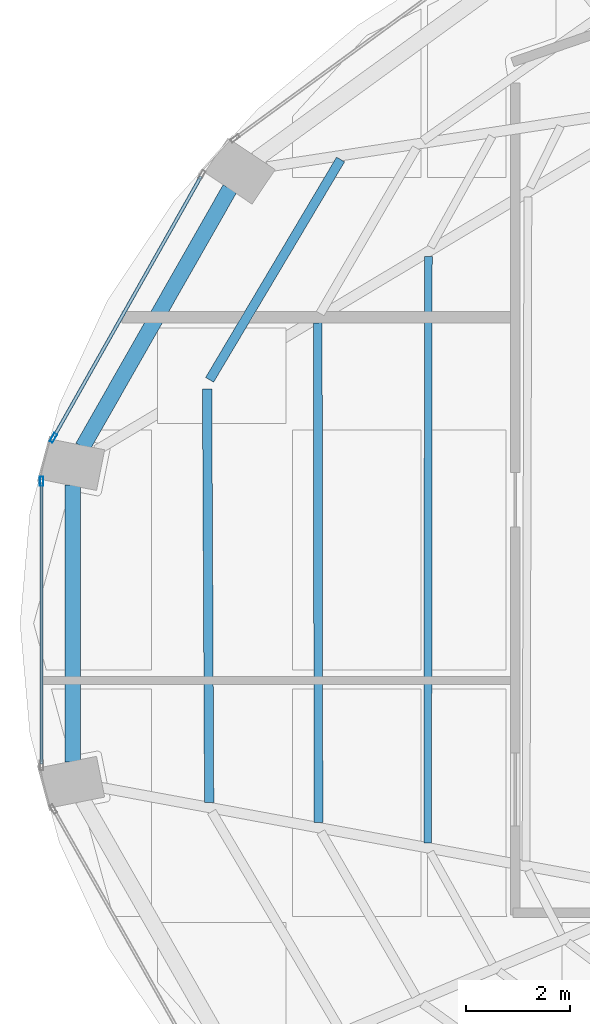
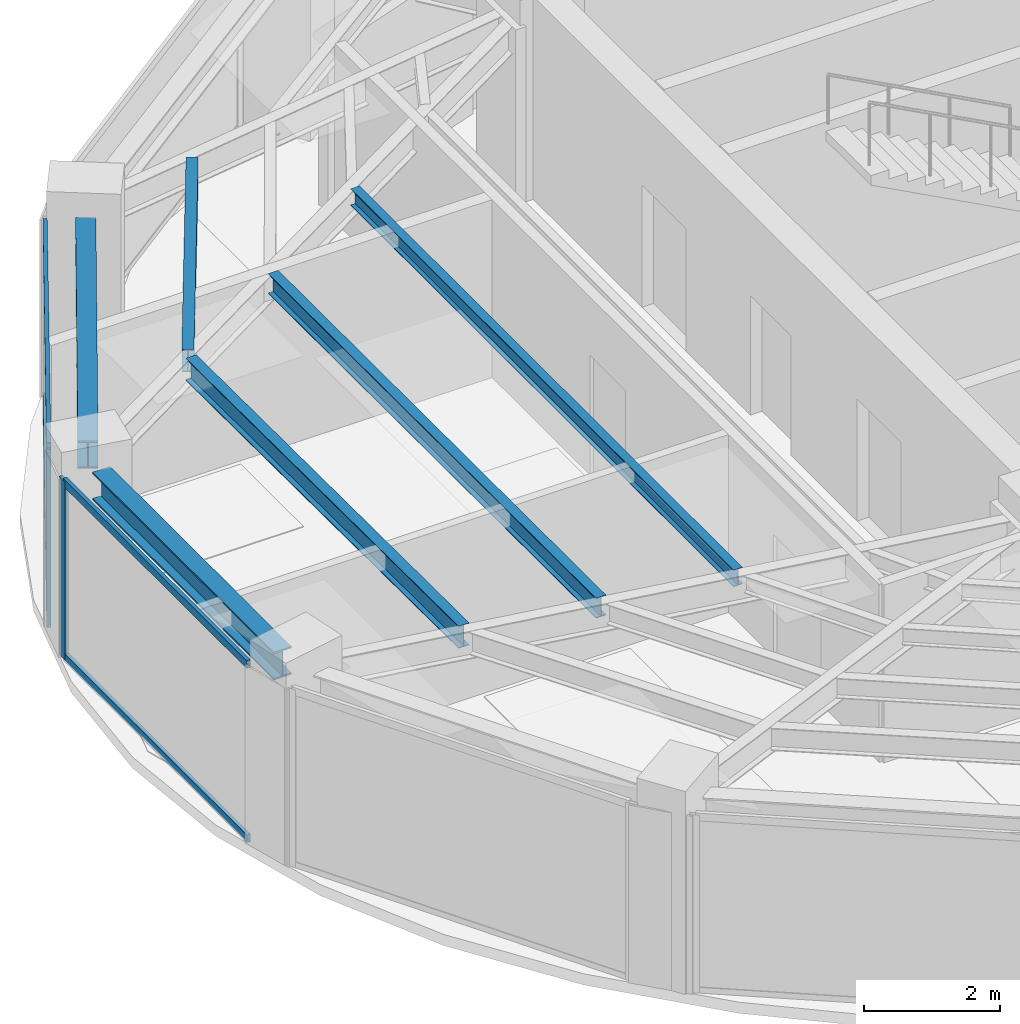
# One storey, part 8 of 22: 6 beams, 6 members, 2 elements without a shape of their own.
"""IFC4 building model written with IfcOpenShell, lengths in metres."""

from ifc_helpers import new_model, si_unit, direction, frame, origin, origin_2d, place, context, subcontext, project, spatial, hollow_rectangle, i_section, extrude, material, layer, layer_set, material_profile, profile_set, type_object, element, aggregate, save


model = new_model("IFC4")

# Units and contexts
model_context = context("Model", 3, precision=1e-05, world=origin(), true_north=direction((0.0, 1.0)))
body_context = subcontext(model_context, "Body", "Model", "MODEL_VIEW")
ifc_project = project(units=[si_unit("LENGTHUNIT", "METRE"), si_unit("AREAUNIT", "SQUARE_METRE"), si_unit("VOLUMEUNIT", "CUBIC_METRE"), si_unit("PLANEANGLEUNIT", "RADIAN"), si_unit("MASSUNIT", "GRAM", prefix="KILO")], contexts=[model_context])

# Site, building, storey
site_placement = place(None, origin())
site = spatial("IfcSite", under=ifc_project, at=site_placement, CompositionType="ELEMENT")
building_placement = place(site_placement, origin())
building = spatial("IfcBuilding", under=site, at=building_placement, Name="Lazwardi Medical Tower", CompositionType="ELEMENT")
storey_placement = place(building_placement, frame((0.0, 0.0, 242.256103515625)))
storey = spatial("IfcBuildingStorey", under=building, at=storey_placement, Name="L63", CompositionType="ELEMENT", Elevation=242.256103515625)

# Beams
ifc_material_1 = material(Name="Steel S355", Category="steel")
ifc_material_profile_1 = material_profile(ifc_material_1, i_section(OverallWidth=0.300048828125, OverallDepth=0.5, WebThickness=0.014404296875, FlangeThickness=0.028076171875, at=origin_2d()), Name="HEB 500")
ifc_profile_set_1 = profile_set([ifc_material_profile_1], Name="Steel S355")
beam_type_1 = type_object("IfcBeamType", Name="BM-RB-Z4", PredefinedType="BEAM", material=ifc_profile_set_1)
beam_1_placement = place(storey_placement, frame((17.84716796875, 33.983642578125, 2.947998046875), z_axis=(-0.495125273299, -0.868821594886, 0.0), x_axis=(0.868821594886, -0.495125273299, 0.0)))
element("IfcBeam", 1, at=beam_1_placement, inside=storey, type_object=beam_type_1, Name="Ring beam RB-05 B11 L63", PredefinedType="BEAM", context=body_context, shape_type="SweptSolid", body=[
    extrude(i_section(OverallWidth=0.300048828125, OverallDepth=0.5, WebThickness=0.014404296875, FlangeThickness=0.028076171875, at=origin_2d()), origin(), (0.0, 0.0, 1.0), 5.734130859375),
])
beam_2_placement = place(storey_placement, frame((14.81494140625, 28.27294921875, 2.947998046875), z_axis=(0.0, -1.0, 0.0), x_axis=(1.0, 0.0, 0.0)))
element("IfcBeam", 2, at=beam_2_placement, inside=storey, type_object=beam_type_1, Name="Ring beam RB-05 B12 L63", PredefinedType="BEAM", context=body_context, shape_type="SweptSolid", body=[
    extrude(i_section(OverallWidth=0.300048828125, OverallDepth=0.5, WebThickness=0.014404296875, FlangeThickness=0.028076171875, at=origin_2d()), origin(), (0.0, 0.0, 1.0), 5.345947265625),
])
ifc_material_profile_2 = material_profile(ifc_material_1, i_section(OverallWidth=0.179931640625, OverallDepth=0.39990234375, WebThickness=0.008544921875, FlangeThickness=0.013427734375, at=origin_2d()), Name="IPE 400")
ifc_profile_set_2 = profile_set([ifc_material_profile_2], Name="Steel S355")
beam_type_2 = type_object("IfcBeamType", Name="BM-SJ-01", PredefinedType="JOIST", material=ifc_profile_set_2)
beam_3_placement = place(storey_placement, frame((19.98095703125, 34.544921875, 2.997802734375), z_axis=(-0.510967866251, -0.859599813668, 0.0), x_axis=(0.859599813668, -0.510967866251, 0.0)))
element("IfcBeam", 3, at=beam_3_placement, inside=storey, type_object=beam_type_2, Name="Secondary joist SJ-01 R1 B11 L63", PredefinedType="JOIST", context=body_context, shape_type="SweptSolid", body=[
    extrude(i_section(OverallWidth=0.179931640625, OverallDepth=0.39990234375, WebThickness=0.008544921875, FlangeThickness=0.013427734375, at=origin_2d()), origin(), (0.0, 0.0, 1.0), 4.94189453125),
])
beam_4_placement = place(storey_placement, frame((17.407958984375, 30.120361328125, 2.997802734375), z_axis=(0.004929366644, -0.999987850598, 0.0), x_axis=(0.999987850598, 0.004929366644, 0.0)))
element("IfcBeam", 4, at=beam_4_placement, inside=storey, type_object=beam_type_2, Name="Secondary joist SJ-01 R1 B12 L63", PredefinedType="JOIST", context=body_context, shape_type="SweptSolid", body=[
    extrude(i_section(OverallWidth=0.179931640625, OverallDepth=0.39990234375, WebThickness=0.008544921875, FlangeThickness=0.013427734375, at=origin_2d()), origin(), (0.0, 0.0, 1.0), 7.973876953125),
])
ifc_material_profile_3 = material_profile(ifc_material_1, i_section(OverallWidth=0.169921875, OverallDepth=0.360107421875, WebThickness=0.008056640625, FlangeThickness=0.0126953125, at=origin_2d()), Name="IPE 360")
ifc_profile_set_3 = profile_set([ifc_material_profile_3], Name="Steel S355")
beam_type_3 = type_object("IfcBeamType", Name="BM-SJ-02", PredefinedType="JOIST", material=ifc_profile_set_3)
beam_5_placement = place(storey_placement, frame((19.541015625, 31.397705078125, 3.017822265625), z_axis=(0.001367606673, -0.999999064826, 0.0), x_axis=(0.999999064826, 0.001367606673, 0.0)))
element("IfcBeam", 5, at=beam_5_placement, inside=storey, type_object=beam_type_3, Name="Secondary joist SJ-02 R2 B12 L63", PredefinedType="JOIST", context=body_context, shape_type="SweptSolid", body=[
    extrude(i_section(OverallWidth=0.169921875, OverallDepth=0.360107421875, WebThickness=0.008056640625, FlangeThickness=0.0126953125, at=origin_2d()), origin(), (0.0, 0.0, 1.0), 9.639892578125),
])
ifc_material_profile_4 = material_profile(ifc_material_1, i_section(OverallWidth=0.14990234375, OverallDepth=0.300048828125, WebThickness=0.007080078125, FlangeThickness=0.0107421875, at=origin_2d()), Name="IPE 300")
ifc_profile_set_4 = profile_set([ifc_material_profile_4], Name="Steel S355")
beam_type_4 = type_object("IfcBeamType", Name="BM-SJ-03", PredefinedType="JOIST", material=ifc_profile_set_4)
beam_6_placement = place(storey_placement, frame((21.674072265625, 32.67529296875, 3.0478515625), z_axis=(-0.001166079235, -0.999999320129, 0.0), x_axis=(0.999999320129, -0.001166079235, 0.0)))
element("IfcBeam", 6, at=beam_6_placement, inside=storey, type_object=beam_type_4, Name="Secondary joist SJ-03 R3 B12 L63", PredefinedType="JOIST", context=body_context, shape_type="SweptSolid", body=[
    extrude(i_section(OverallWidth=0.14990234375, OverallDepth=0.300048828125, WebThickness=0.007080078125, FlangeThickness=0.0107421875, at=origin_2d()), origin(), (0.0, 0.0, 1.0), 11.305908203125),
])

# Curtain wall, member
ifc_material_2 = material(Name="Anodised bronze aluminium and solar control glazing", Category="aluminium")
ifc_layer = layer(ifc_material_2, 0.18994140625)
ifc_layer_set = layer_set([ifc_layer], Name="Anodised bronze aluminium and solar control glazing")
curtain_wall_type = type_object("IfcCurtainWallType", Name="CW-SYS-04", PredefinedType="NOTDEFINED", material=ifc_layer_set)
curtain_wall_1_placement = place(storey_placement, origin())
curtain_wall_1 = element("IfcCurtainWall", 7, at=curtain_wall_1_placement, inside=storey, type_object=curtain_wall_type, Name="L63 Unitised bronze curtain wall CW-04", PredefinedType="NOTDEFINED")
ifc_material_3 = material(Name="Anodised bronze aluminium", Category="aluminium")
ifc_material_profile_5 = material_profile(ifc_material_3, hollow_rectangle(XDim=0.06494140625, YDim=0.179931640625, WallThickness=0.00390625, at=origin_2d()), Name="ALU-MULLION 180x65x4")
ifc_profile_set_5 = profile_set([ifc_material_profile_5], Name="Anodised bronze aluminium")
member_type_1 = type_object("IfcMemberType", Name="CW-MUL-03", PredefinedType="MULLION", material=ifc_profile_set_5)
member_1_placement = place(storey_placement, frame((14.442626953125, 29.17822265625, 0.0), z_axis=(0.0, 0.0, 1.0), x_axis=(0.870651436011, -0.491900474661, 0.0)))
member_1 = element("IfcMember", 8, at=member_1_placement, type_object=member_type_1, Name="CW-04 mullion 2", PredefinedType="MULLION", context=body_context, shape_type="SweptSolid", body=[
    extrude(hollow_rectangle(XDim=0.06494140625, YDim=0.179931640625, WallThickness=0.00390625, at=origin_2d()), origin(), (0.0, 0.0, 1.0), 3.197998046875),
])

curtain_wall_2_placement = place(storey_placement, origin())
curtain_wall_2 = element("IfcCurtainWall", 9, at=curtain_wall_2_placement, inside=storey, type_object=curtain_wall_type, Name="L63 Unitised bronze curtain wall CW-04", PredefinedType="NOTDEFINED")
member_2_placement = place(storey_placement, frame((14.2158203125, 28.340576171875, 0.0), z_axis=(0.0, 0.0, 1.0), x_axis=(1.0, 0.0, 0.0)))
member_2 = element("IfcMember", 10, at=member_2_placement, type_object=member_type_1, Name="CW-04 mullion 1", PredefinedType="MULLION", context=body_context, shape_type="SweptSolid", body=[
    extrude(hollow_rectangle(XDim=0.06494140625, YDim=0.179931640625, WallThickness=0.00390625, at=origin_2d()), origin(), (0.0, 0.0, 1.0), 3.197998046875),
])

# Member
ifc_material_profile_6 = material_profile(ifc_material_3, hollow_rectangle(XDim=0.06494140625, YDim=0.139892578125, WallThickness=0.00341796875, at=origin_2d()), Name="ALU-TRANSOM 140x65x3.5")
ifc_profile_set_6 = profile_set([ifc_material_profile_6], Name="Anodised bronze aluminium")
member_type_2 = type_object("IfcMemberType", Name="CW-TRN-03", PredefinedType="USERDEFINED", material=ifc_profile_set_6)
member_3_placement = place(storey_placement, frame((17.28955078125, 34.21728515625, 0.032470703125), z_axis=(-0.491879719484, -0.87066316194, 0.0), x_axis=(0.87066316194, -0.491879719484, 0.0)))
member_3 = element("IfcMember", 11, at=member_3_placement, type_object=member_type_2, Name="CW-04 transom 1.1", ObjectType="TRANSOM", PredefinedType="USERDEFINED", context=body_context, shape_type="SweptSolid", body=[
    extrude(hollow_rectangle(XDim=0.06494140625, YDim=0.139892578125, WallThickness=0.00341796875, at=origin_2d()), origin(), (0.0, 0.0, 1.0), 5.755126953125),
])

member_4_placement = place(storey_placement, frame((17.28955078125, 34.21728515625, 3.165283203125), z_axis=(-0.491879719484, -0.87066316194, 0.0), x_axis=(0.87066316194, -0.491879719484, 0.0)))
member_4 = element("IfcMember", 12, at=member_4_placement, type_object=member_type_2, Name="CW-04 transom 1.2", ObjectType="TRANSOM", PredefinedType="USERDEFINED", context=body_context, shape_type="SweptSolid", body=[
    extrude(hollow_rectangle(XDim=0.06494140625, YDim=0.139892578125, WallThickness=0.00341796875, at=origin_2d()), origin(), (0.0, 0.0, 1.0), 5.755126953125),
])

aggregate(curtain_wall_1, [member_1, member_3, member_4])

member_5_placement = place(storey_placement, frame((14.2158203125, 28.30810546875, 0.032470703125), z_axis=(0.0, -1.0, 0.0), x_axis=(1.0, 0.0, 0.0)))
member_5 = element("IfcMember", 13, at=member_5_placement, type_object=member_type_2, Name="CW-04 transom 1.1", ObjectType="TRANSOM", PredefinedType="USERDEFINED", context=body_context, shape_type="SweptSolid", body=[
    extrude(hollow_rectangle(XDim=0.06494140625, YDim=0.139892578125, WallThickness=0.00341796875, at=origin_2d()), origin(), (0.0, 0.0, 1.0), 5.416015625),
])

member_6_placement = place(storey_placement, frame((14.2158203125, 28.30810546875, 3.165283203125), z_axis=(0.0, -1.0, 0.0), x_axis=(1.0, 0.0, 0.0)))
member_6 = element("IfcMember", 14, at=member_6_placement, type_object=member_type_2, Name="CW-04 transom 1.2", ObjectType="TRANSOM", PredefinedType="USERDEFINED", context=body_context, shape_type="SweptSolid", body=[
    extrude(hollow_rectangle(XDim=0.06494140625, YDim=0.139892578125, WallThickness=0.00341796875, at=origin_2d()), origin(), (0.0, 0.0, 1.0), 5.416015625),
])

aggregate(curtain_wall_2, [member_2, member_5, member_6])

save(model, "model.ifc")
